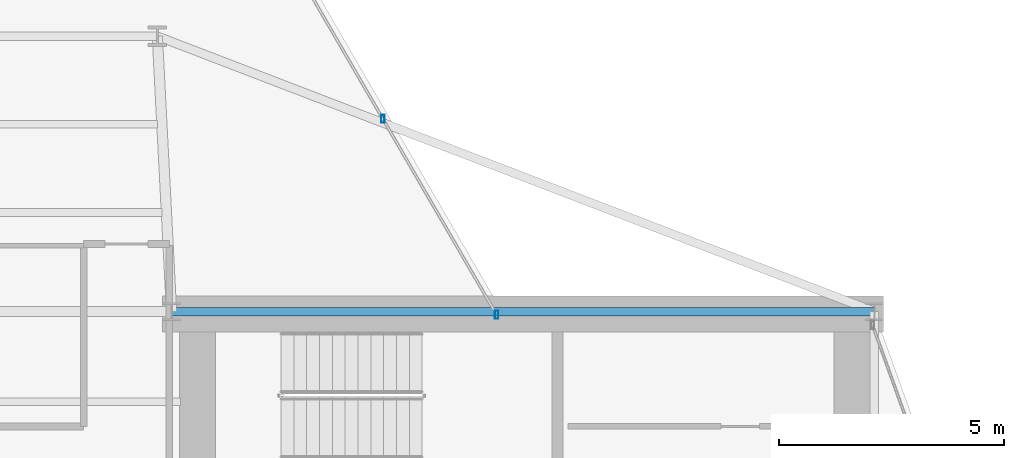
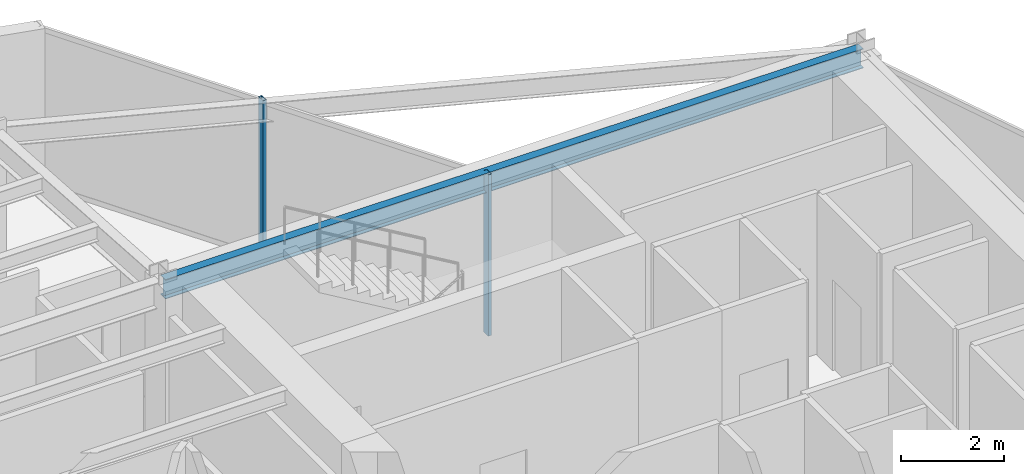
# One storey, part 15 of 25: 2 members, 1 beam, 1 element without a shape of its own.
"""IFC4 building model written with IfcOpenShell, lengths in metres."""

from ifc_helpers import new_model, si_unit, direction, frame, origin, origin_2d, place, context, subcontext, project, spatial, hollow_rectangle, i_section, extrude, material, layer, layer_set, material_profile, profile_set, type_object, element, aggregate, save


model = new_model("IFC4")

# Units and contexts
model_context = context("Model", 3, precision=1e-05, world=origin(), true_north=direction((0.0, 1.0)))
body_context = subcontext(model_context, "Body", "Model", "MODEL_VIEW")
ifc_project = project(units=[si_unit("LENGTHUNIT", "METRE"), si_unit("AREAUNIT", "SQUARE_METRE"), si_unit("VOLUMEUNIT", "CUBIC_METRE"), si_unit("PLANEANGLEUNIT", "RADIAN"), si_unit("MASSUNIT", "GRAM", prefix="KILO")], contexts=[model_context])

# Site, building, storey
site_placement = place(None, origin())
site = spatial("IfcSite", under=ifc_project, at=site_placement, CompositionType="ELEMENT")
building_placement = place(site_placement, origin())
building = spatial("IfcBuilding", under=site, at=building_placement, Name="Veymaron Broadcast Tower", CompositionType="ELEMENT")
storey_placement = place(building_placement, frame((0.0, 0.0, 169.5)))
storey = spatial("IfcBuildingStorey", under=building, at=storey_placement, Name="L39", CompositionType="ELEMENT", Elevation=169.5)

# Beam
ifc_material_1 = material(Name="Structural steel ASTM A992 Gr 50", Category="steel")
ifc_material_profile_1 = material_profile(ifc_material_1, i_section(OverallWidth=0.19091796875, OverallDepth=0.4599609375, WebThickness=0.010009765625, FlangeThickness=0.01611328125, at=origin_2d()), Name="W460X82")
ifc_profile_set_1 = profile_set([ifc_material_profile_1], Name="Structural steel ASTM A992 Gr 50")
beam_type = type_object("IfcBeamType", Name="BM-SP1", PredefinedType="SPANDREL", material=ifc_profile_set_1)
beam_placement = place(storey_placement, frame((39.0, 32.0, 3.580078125), z_axis=(1.0, 0.0, 0.0), x_axis=(0.0, 1.0, 0.0)))
element("IfcBeam", 1, at=beam_placement, inside=storey, type_object=beam_type, Name="L39 primary structural floor girder", PredefinedType="SPANDREL", context=body_context, shape_type="SweptSolid", body=[
    extrude(i_section(OverallWidth=0.19091796875, OverallDepth=0.4599609375, WebThickness=0.010009765625, FlangeThickness=0.01611328125, at=origin_2d()), origin(), (0.0, 0.0, 1.0), 15.60009765625),
])

# Curtain wall, members
ifc_material_2 = material(Name="Anodised aluminium AA 6063-T6 and laminated low-E dark glass", Category="aluminium")
ifc_layer = layer(ifc_material_2, 0.179931640625)
ifc_layer_set = layer_set([ifc_layer], Name="Anodised aluminium AA 6063-T6 and laminated low-E dark glass")
curtain_wall_type = type_object("IfcCurtainWallType", Name="CW-SYS-03", PredefinedType="NOTDEFINED", material=ifc_layer_set)
curtain_wall_placement = place(storey_placement, origin())
curtain_wall = element("IfcCurtainWall", 2, at=curtain_wall_placement, inside=storey, type_object=curtain_wall_type, Name="L39 dark-glass curtain wall CW-L39-E5-1", PredefinedType="NOTDEFINED")
ifc_material_3 = material(Name="Anodised aluminium AA 6063-T6", Category="aluminium")
ifc_material_profile_2 = material_profile(ifc_material_3, hollow_rectangle(XDim=0.074951171875, YDim=0.179931640625, WallThickness=0.0048828125, at=origin_2d()), Name="AL180X75X5")
ifc_profile_set_2 = profile_set([ifc_material_profile_2], Name="Anodised aluminium AA 6063-T6")
member_type = type_object("IfcMemberType", Name="CW-MUL-02", PredefinedType="MULLION", material=ifc_profile_set_2)
member_1_placement = place(storey_placement, frame((46.21435546875, 31.9296875, 0.0), z_axis=(0.0, 0.0, 1.0), x_axis=(1.0, 0.0, 0.0)))
member_1 = element("IfcMember", 3, at=member_1_placement, type_object=member_type, Name="CW-L39-E5-1 mullion 0", PredefinedType="MULLION", context=body_context, shape_type="SweptSolid", body=[
    extrude(hollow_rectangle(XDim=0.074951171875, YDim=0.179931640625, WallThickness=0.0048828125, at=origin_2d()), origin(), (0.0, 0.0, 1.0), 3.81005859375),
])
member_2_placement = place(storey_placement, frame((43.690673828125, 36.276611328125, 0.0), z_axis=(0.0, 0.0, 1.0), x_axis=(1.0, 0.0, 0.0)))
member_2 = element("IfcMember", 4, at=member_2_placement, type_object=member_type, Name="CW-L39-E5-1 mullion 1", PredefinedType="MULLION", context=body_context, shape_type="SweptSolid", body=[
    extrude(hollow_rectangle(XDim=0.074951171875, YDim=0.179931640625, WallThickness=0.0048828125, at=origin_2d()), origin(), (0.0, 0.0, 1.0), 3.81005859375),
])
aggregate(curtain_wall, [member_1, member_2])

save(model, "model.ifc")
